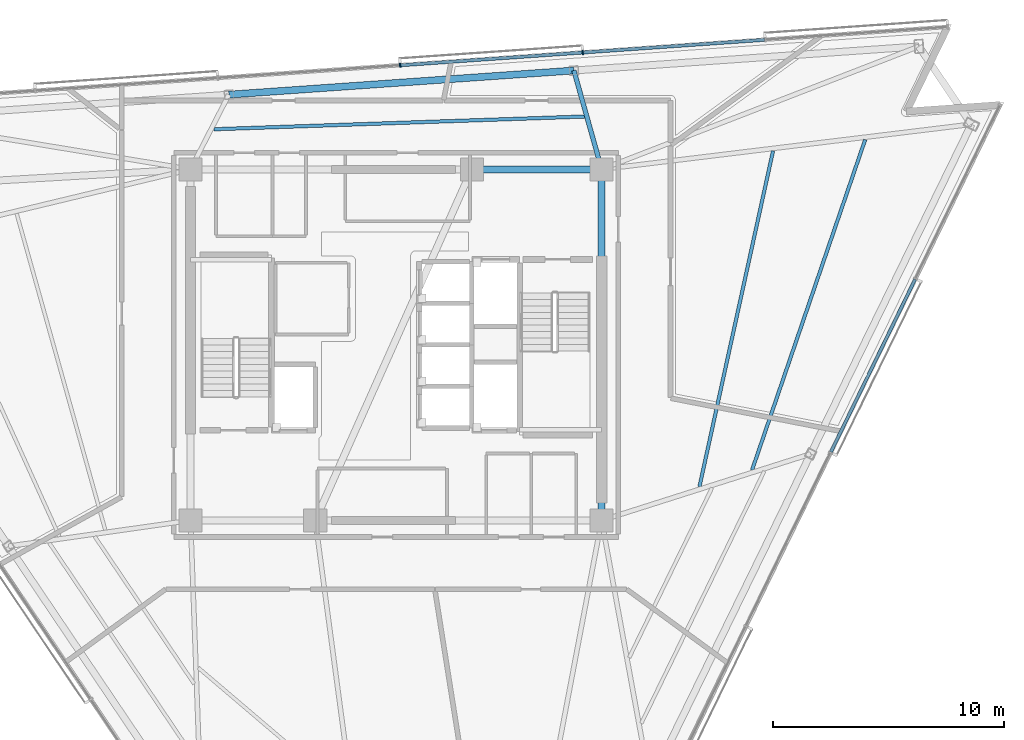
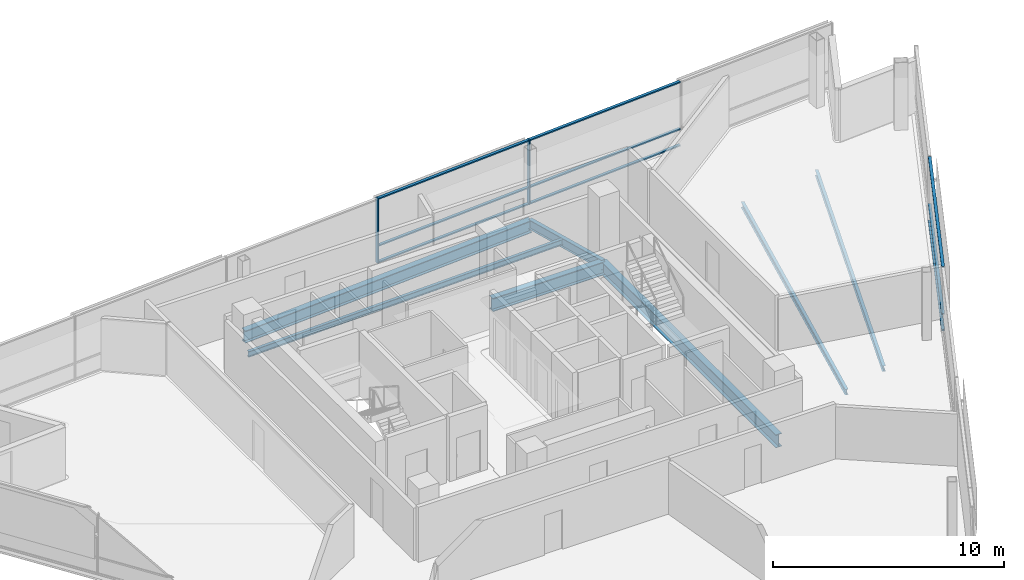
# One storey, part 6 of 15: 11 members, 7 beams, 2 elements without a shape of their own.
"""IFC4 building model written with IfcOpenShell, lengths in metres."""

import ifcopenshell
import ifcopenshell.guid

model = None  # the IFC model being written
_history = None  # IfcOwnerHistory: only IFC2X3 demands one
_inside = {}  # id of a spatial element -> (the spatial element, [elements in it])
_under = {}  # id of a project, library or spatial element -> (it, [spatial elements below it])
_declared = {}  # id of a project -> (the project, [libraries it declares])
_typed = {}  # id of a type object -> (the type object, [elements of that type])
_made_of = {}  # id of a material, layer set ... -> (it, [elements and type objects made of it])


def new_model(schema):
    """Start an empty IFC model of exactly this schema.

    Asked for "IFC4X3", IfcOpenShell would pick the latest addendum, in which some entities
    have other attributes; the version numbers below select the first issue.
    IFC2X3 requires an IfcOwnerHistory on every rooted entity: one is made here for all.
    """
    global model, _history
    if schema == "IFC4X3":
        model = ifcopenshell.file(schema_version=(4, 3, 0, 0))
    else:
        model = ifcopenshell.file(schema=schema)
    _inside.clear()
    _under.clear()
    _declared.clear()
    _typed.clear()
    _made_of.clear()
    _history = None
    if model.schema == "IFC2X3":
        org = make("IfcOrganization", Name="unknown")
        user = make(
            "IfcPersonAndOrganization",
            ThePerson=make("IfcPerson", FamilyName="unknown"),
            TheOrganization=org,
        )
        app = make(
            "IfcApplication",
            ApplicationDeveloper=org,
            Version="unknown",
            ApplicationFullName="unknown",
            ApplicationIdentifier="unknown",
        )
        _history = make(
            "IfcOwnerHistory",
            OwningUser=user,
            OwningApplication=app,
            ChangeAction="ADDED",
            CreationDate=0,
        )
    return model


def make(cls, **values):
    """One entity of the class cls with the attributes given. An attribute that is None is left unset."""
    return model.create_entity(
        cls, **{name: value for name, value in values.items() if value is not None}
    )


def rooted(cls, **values):
    """An entity with a GlobalId (a new one), such as an element, a storey or a relation."""
    return make(cls, GlobalId=ifcopenshell.guid.new(), OwnerHistory=_history, **values)


def si_unit(unit_type, name, prefix=None):
    """IfcSIUnit, for example si_unit("LENGTHUNIT", "METRE", prefix="MILLI")."""
    return make("IfcSIUnit", UnitType=unit_type, Prefix=prefix, Name=name)


def assignment(units):
    """IfcUnitAssignment: the units of a project."""
    return None if units is None else make("IfcUnitAssignment", Units=units)


def point(xyz):
    """IfcCartesianPoint."""
    return None if xyz is None else make("IfcCartesianPoint", Coordinates=xyz)


def direction(xyz):
    """IfcDirection."""
    return None if xyz is None else make("IfcDirection", DirectionRatios=xyz)


def frame(location, z_axis=None, x_axis=None):
    """IfcAxis2Placement3D, a coordinate frame: its origin and axes. An axis left out is left unset."""
    return make(
        "IfcAxis2Placement3D",
        Location=point(location),
        Axis=direction(z_axis),
        RefDirection=direction(x_axis),
    )


def frame_2d(location, x_axis=None):
    """IfcAxis2Placement2D, a coordinate frame in the plane: its origin and x axis."""
    return make(
        "IfcAxis2Placement2D", Location=point(location), RefDirection=direction(x_axis)
    )


def origin():
    """The frame at (0, 0, 0) with its axes left unset."""
    return frame((0.0, 0.0, 0.0))


def origin_2d():
    """The frame at (0, 0) in the plane with its x axis left unset."""
    return frame_2d((0.0, 0.0))


def place(relative_to, where):
    """IfcLocalPlacement: puts the frame where relative to a parent placement (None: the world)."""
    return make(
        "IfcLocalPlacement", PlacementRelTo=relative_to, RelativePlacement=where
    )


def context(
    kind, dimensions, precision=None, world=None, true_north=None, identifier=None
):
    """IfcGeometricRepresentationContext, for example the 3D "Model" context."""
    return make(
        "IfcGeometricRepresentationContext",
        ContextIdentifier=identifier,
        ContextType=kind,
        CoordinateSpaceDimension=dimensions,
        Precision=precision,
        WorldCoordinateSystem=world,
        TrueNorth=true_north,
    )


def subcontext(parent, identifier, kind, view, scale=None):
    """IfcGeometricRepresentationSubContext, for example "Body" below "Model"."""
    return make(
        "IfcGeometricRepresentationSubContext",
        ContextIdentifier=identifier,
        ContextType=kind,
        ParentContext=parent,
        TargetScale=scale,
        TargetView=view,
    )


def project(units=None, contexts=None):
    """IfcProject with its units and contexts."""
    return rooted(
        "IfcProject",
        Name="project",
        RepresentationContexts=contexts,
        UnitsInContext=assignment(units),
    )


def spatial(cls, under=None, at=None, **own):
    """A site, building, storey or space (cls), placed at a placement, below another one or the project."""
    s = rooted(cls, ObjectPlacement=at, **own)
    if under is not None:
        _under.setdefault(under.id(), (under, []))[1].append(s)
    return s


def profile(cls, at=None, kind="AREA", **sizes):
    """A parametric profile (cls). Its sizes go by their IFC names, for example OverallWidth=200.0."""
    return make(cls, ProfileType=kind, Position=at, **sizes)


def rectangle(**sizes):
    """IfcRectangleProfileDef."""
    return profile("IfcRectangleProfileDef", **sizes)


def i_section(**sizes):
    """IfcIShapeProfileDef."""
    return profile("IfcIShapeProfileDef", **sizes)


def extrude(swept, where, along, depth):
    """IfcExtrudedAreaSolid: the profile swept, set in the frame where, extruded along a direction by depth."""
    return make(
        "IfcExtrudedAreaSolid",
        SweptArea=swept,
        Position=where,
        ExtrudedDirection=direction(along),
        Depth=depth,
    )


def shape(context_of_items, identifier, shape_type, items):
    """IfcShapeRepresentation: the items that make up one representation, for example the "Body"."""
    return make(
        "IfcShapeRepresentation",
        ContextOfItems=context_of_items,
        RepresentationIdentifier=identifier,
        RepresentationType=shape_type,
        Items=items,
    )


def material(Name=None, Category=None):
    """IfcMaterial."""
    return make("IfcMaterial", Name=Name, Category=Category)


def layer(
    of_material, thickness, ventilated=None, Name=None, Category=None, Priority=None
):
    """IfcMaterialLayer: one layer of a wall or slab, of a material (None: an air gap)."""
    return make(
        "IfcMaterialLayer",
        Material=of_material,
        LayerThickness=thickness,
        IsVentilated=ventilated,
        Name=Name,
        Category=Category,
        Priority=Priority,
    )


def layer_set(layers, Name=None):
    """IfcMaterialLayerSet."""
    return make("IfcMaterialLayerSet", MaterialLayers=layers, LayerSetName=Name)


def material_profile(
    of_material, cross_section, Name=None, Category=None, Priority=None
):
    """IfcMaterialProfile: a cross section and its material."""
    return make(
        "IfcMaterialProfile",
        Name=Name,
        Material=of_material,
        Profile=cross_section,
        Priority=Priority,
        Category=Category,
    )


def profile_set(profiles, Name=None, composite=None):
    """IfcMaterialProfileSet."""
    return make(
        "IfcMaterialProfileSet",
        Name=Name,
        MaterialProfiles=profiles,
        CompositeProfile=composite,
    )


def made_of(thing, what):
    """Note that an element or type object is made of a material, layer set ...; save() writes the relation."""
    if what is not None:
        _made_of.setdefault(what.id(), (what, []))[1].append(thing)
    return thing


def type_object(cls, material=None, **own):
    """A type object (cls), such as IfcWallType, which elements share."""
    return made_of(rooted(cls, **own), material)


def element(
    cls,
    number,
    at=None,
    inside=None,
    cuts=None,
    type_object=None,
    material=None,
    context=None,
    identifier="Body",
    shape_type=None,
    held_by="IfcProductDefinitionShape",
    body=None,
    shapes=None,
    **own,
):
    """One element of the class cls, such as IfcWall. Its Tag is "e" and its number.

    at: its placement. inside: the storey or other place that contains it. cuts: it is an
    opening in that element (IfcRelVoidsElement). A single representation is given by context,
    identifier, shape_type and body (its items); several are given by shapes. held_by: the class
    of the entity that holds the representations. save() writes the other relations.
    """
    e = rooted(cls, Tag="e%d" % number, ObjectPlacement=at, **own)
    if body is not None:
        shapes = [shape(context, identifier, shape_type, body)]
    if shapes is not None:
        e.Representation = make(held_by, Representations=shapes)
    if inside is not None:
        _inside.setdefault(inside.id(), (inside, []))[1].append(e)
    if cuts is not None:
        rooted(
            "IfcRelVoidsElement", RelatingBuildingElement=cuts, RelatedOpeningElement=e
        )
    if type_object is not None:
        _typed.setdefault(type_object.id(), (type_object, []))[1].append(e)
    return made_of(e, material)


def aggregate(whole, parts):
    """IfcRelAggregates: a whole, such as a stair, and the parts it consists of."""
    return rooted("IfcRelAggregates", RelatingObject=whole, RelatedObjects=parts)


def save(model, path):
    """Write the relations noted so far, then the file.

    IfcRelAggregates (storeys below a building ...), IfcRelContainedInSpatialStructure (elements
    in a storey), IfcRelDefinesByType, IfcRelAssociatesMaterial and IfcRelDeclares: one each for
    every whole, place, type object, material and project.
    """
    for whole, parts in _under.values():
        aggregate(whole, parts)
    for where, things in _inside.values():
        rooted(
            "IfcRelContainedInSpatialStructure",
            RelatedElements=things,
            RelatingStructure=where,
        )
    for kind, things in _typed.values():
        rooted("IfcRelDefinesByType", RelatedObjects=things, RelatingType=kind)
    for what, things in _made_of.values():
        rooted("IfcRelAssociatesMaterial", RelatedObjects=things, RelatingMaterial=what)
    for by, libraries in _declared.values():
        rooted("IfcRelDeclares", RelatingContext=by, RelatedDefinitions=libraries)
    model.write(path)


model = new_model("IFC4")

# Units and contexts
model_context = context("Model", 3, precision=1e-05, world=origin(), true_north=direction((0.0, 1.0)))
body_context = subcontext(model_context, "Body", "Model", "MODEL_VIEW")
ifc_project = project(units=[si_unit("LENGTHUNIT", "METRE"), si_unit("AREAUNIT", "SQUARE_METRE"), si_unit("VOLUMEUNIT", "CUBIC_METRE"), si_unit("PLANEANGLEUNIT", "RADIAN"), si_unit("MASSUNIT", "GRAM", prefix="KILO")], contexts=[model_context])

# Site, building, storey
site_placement = place(None, origin())
site = spatial("IfcSite", under=ifc_project, at=site_placement, CompositionType="ELEMENT")
building_placement = place(site_placement, origin())
building = spatial("IfcBuilding", under=site, at=building_placement, Name="Tharavind Bronze Gate", CompositionType="ELEMENT")
storey_placement = place(building_placement, frame((0.0, 0.0, 267.800048828125)))
storey = spatial("IfcBuildingStorey", under=building, at=storey_placement, Name="L69", CompositionType="ELEMENT", Elevation=267.800048828125)

# Curtain wall, members
ifc_material_1 = material(Name="Anodised Bronze Aluminium", Category="aluminium")
ifc_layer = layer(ifc_material_1, 0.219970703125)
ifc_layer_set = layer_set([ifc_layer], Name="Anodised Bronze Aluminium")
curtain_wall_type = type_object("IfcCurtainWallType", Name="UNITISED CURTAIN WALL UPPER OFFICE", PredefinedType="USERDEFINED", material=ifc_layer_set)
curtain_wall_1_placement = place(storey_placement, origin())
curtain_wall_1 = element("IfcCurtainWall", 1, at=curtain_wall_1_placement, inside=storey, type_object=curtain_wall_type, Name="L69 unitised curtain wall upper office CW-L69-S3", ObjectType="UNITISED CURTAIN WALL", PredefinedType="USERDEFINED")
member_type_1 = type_object("IfcMemberType", Name="CURTAIN WALL BRONZE MULLION 65X180", PredefinedType="MULLION", material=ifc_material_1)
member_1_placement = place(storey_placement, frame((8.078369140625, 12.656005859375, 0.0), z_axis=(0.0, 0.0, 1.0), x_axis=(-0.997563806758, -0.069759955899, 0.0)))
member_1 = element("IfcMember", 2, at=member_1_placement, type_object=member_type_1, Name="CW-L69-S3 mullion 3", PredefinedType="MULLION", context=body_context, shape_type="SweptSolid", body=[
    extrude(rectangle(XDim=0.06494140625, YDim=0.179931640625, at=origin_2d()), origin(), (0.0, 0.0, 1.0), 3.419921875),
])
member_2_placement = place(storey_placement, frame((0.177490234375, 12.103515625, 0.0), z_axis=(0.0, 0.0, 1.0), x_axis=(-0.997563806758, -0.069759955899, 0.0)))
member_2 = element("IfcMember", 3, at=member_2_placement, type_object=member_type_1, Name="CW-L69-S3 mullion 4", PredefinedType="MULLION", context=body_context, shape_type="SweptSolid", body=[
    extrude(rectangle(XDim=0.06494140625, YDim=0.179931640625, at=origin_2d()), origin(), (0.0, 0.0, 1.0), 3.419921875),
])

curtain_wall_2_placement = place(storey_placement, origin())
curtain_wall_2 = element("IfcCurtainWall", 4, at=curtain_wall_2_placement, inside=storey, type_object=curtain_wall_type, Name="L69 unitised curtain wall upper office CW-L69-S2", ObjectType="UNITISED CURTAIN WALL", PredefinedType="USERDEFINED")
member_type_2 = type_object("IfcMemberType", Name="CURTAIN WALL BRONZE TRANSOM 65X140", PredefinedType="USERDEFINED", material=ifc_material_1)
member_3_placement = place(storey_placement, frame((20.64990234375, -0.89892578125, 0.0), z_axis=(0.0, 0.0, 1.0), x_axis=(0.43837271548, 0.898793281196, 0.0)))
member_3 = element("IfcMember", 5, at=member_3_placement, type_object=member_type_2, Name="CW-L69-S2 transom TB5", ObjectType="TRANSOM", PredefinedType="USERDEFINED", context=body_context, shape_type="SweptSolid", body=[
    extrude(rectangle(XDim=8.3193359375, YDim=0.139892578125, at=origin_2d()), origin(), (0.0, 0.0, 1.0), 0.06494140625),
])
member_4_placement = place(storey_placement, frame((20.64990234375, -0.89892578125, 0.867431640625), z_axis=(0.0, 0.0, 1.0), x_axis=(0.43837271548, 0.898793281196, 0.0)))
member_4 = element("IfcMember", 6, at=member_4_placement, type_object=member_type_2, Name="CW-L69-S2 transom TS5", ObjectType="TRANSOM", PredefinedType="USERDEFINED", context=body_context, shape_type="SweptSolid", body=[
    extrude(rectangle(XDim=8.3193359375, YDim=0.139892578125, at=origin_2d()), origin(), (0.0, 0.0, 1.0), 0.06494140625),
])
member_5_placement = place(storey_placement, frame((20.64990234375, -0.89892578125, 3.35498046875), z_axis=(0.0, 0.0, 1.0), x_axis=(0.43837271548, 0.898793281196, 0.0)))
member_5 = element("IfcMember", 7, at=member_5_placement, type_object=member_type_2, Name="CW-L69-S2 transom TT5", ObjectType="TRANSOM", PredefinedType="USERDEFINED", context=body_context, shape_type="SweptSolid", body=[
    extrude(rectangle(XDim=8.3193359375, YDim=0.139892578125, at=origin_2d()), origin(), (0.0, 0.0, 1.0), 0.06494140625),
])
aggregate(curtain_wall_2, [member_3, member_4, member_5])

# Member
member_6_placement = place(storey_placement, frame((12.02880859375, 12.932373046875, 0.0), z_axis=(0.0, 0.0, 1.0), x_axis=(-0.997563806758, -0.069759955899, 0.0)))
member_6 = element("IfcMember", 8, at=member_6_placement, type_object=member_type_2, Name="CW-L69-S3 transom TB2", ObjectType="TRANSOM", PredefinedType="USERDEFINED", context=body_context, shape_type="SweptSolid", body=[
    extrude(rectangle(XDim=7.8671875, YDim=0.139892578125, at=origin_2d()), origin(), (0.0, 0.0, 1.0), 0.06494140625),
])

member_7_placement = place(storey_placement, frame((12.02880859375, 12.932373046875, 0.867431640625), z_axis=(0.0, 0.0, 1.0), x_axis=(-0.997563806758, -0.069759955899, 0.0)))
member_7 = element("IfcMember", 9, at=member_7_placement, type_object=member_type_2, Name="CW-L69-S3 transom TS2", ObjectType="TRANSOM", PredefinedType="USERDEFINED", context=body_context, shape_type="SweptSolid", body=[
    extrude(rectangle(XDim=7.8671875, YDim=0.139892578125, at=origin_2d()), origin(), (0.0, 0.0, 1.0), 0.06494140625),
])

member_8_placement = place(storey_placement, frame((12.02880859375, 12.932373046875, 3.35498046875), z_axis=(0.0, 0.0, 1.0), x_axis=(-0.997563806758, -0.069759955899, 0.0)))
member_8 = element("IfcMember", 10, at=member_8_placement, type_object=member_type_2, Name="CW-L69-S3 transom TT2", ObjectType="TRANSOM", PredefinedType="USERDEFINED", context=body_context, shape_type="SweptSolid", body=[
    extrude(rectangle(XDim=7.8671875, YDim=0.139892578125, at=origin_2d()), origin(), (0.0, 0.0, 1.0), 0.06494140625),
])

member_9_placement = place(storey_placement, frame((4.1279296875, 12.3798828125, 0.0), z_axis=(0.0, 0.0, 1.0), x_axis=(-0.997563806758, -0.069759955899, 0.0)))
member_9 = element("IfcMember", 11, at=member_9_placement, type_object=member_type_2, Name="CW-L69-S3 transom TB3", ObjectType="TRANSOM", PredefinedType="USERDEFINED", context=body_context, shape_type="SweptSolid", body=[
    extrude(rectangle(XDim=7.8671875, YDim=0.139892578125, at=origin_2d()), origin(), (0.0, 0.0, 1.0), 0.06494140625),
])

member_10_placement = place(storey_placement, frame((4.1279296875, 12.3798828125, 0.867431640625), z_axis=(0.0, 0.0, 1.0), x_axis=(-0.997563806758, -0.069759955899, 0.0)))
member_10 = element("IfcMember", 12, at=member_10_placement, type_object=member_type_2, Name="CW-L69-S3 transom TS3", ObjectType="TRANSOM", PredefinedType="USERDEFINED", context=body_context, shape_type="SweptSolid", body=[
    extrude(rectangle(XDim=7.8671875, YDim=0.139892578125, at=origin_2d()), origin(), (0.0, 0.0, 1.0), 0.06494140625),
])

member_11_placement = place(storey_placement, frame((4.1279296875, 12.3798828125, 3.35498046875), z_axis=(0.0, 0.0, 1.0), x_axis=(-0.997563806758, -0.069759955899, 0.0)))
member_11 = element("IfcMember", 13, at=member_11_placement, type_object=member_type_2, Name="CW-L69-S3 transom TT3", ObjectType="TRANSOM", PredefinedType="USERDEFINED", context=body_context, shape_type="SweptSolid", body=[
    extrude(rectangle(XDim=7.8671875, YDim=0.139892578125, at=origin_2d()), origin(), (0.0, 0.0, 1.0), 0.06494140625),
])

aggregate(curtain_wall_1, [member_1, member_2, member_6, member_7, member_8, member_9, member_10, member_11])

# Beams
ifc_material_2 = material(Name="Steel S355", Category="steel")
ifc_material_profile_1 = material_profile(ifc_material_2, i_section(OverallWidth=0.300048828125, OverallDepth=0.64990234375, WebThickness=0.01611328125, FlangeThickness=0.031005859375, at=origin_2d()), Name="HE650B")
ifc_profile_set_1 = profile_set([ifc_material_profile_1], Name="Steel S355")
beam_type_1 = type_object("IfcBeamType", Name="PRIMARY GIRDER HE650B", PredefinedType="USERDEFINED", material=ifc_profile_set_1)
beam_1_placement = place(storey_placement, frame((7.69873046875, 11.877685546875, -0.505126953125), z_axis=(-0.997563609873, -0.069762771286, 0.0), x_axis=(0.069762771286, -0.997563609873, 0.0)))
element("IfcBeam", 14, at=beam_1_placement, inside=storey, type_object=beam_type_1, Name="L69 primary girder he650b BM-L69-PRG10", ObjectType="GIRDER", PredefinedType="USERDEFINED", context=body_context, shape_type="SweptSolid", body=[
    extrude(i_section(OverallWidth=0.300048828125, OverallDepth=0.64990234375, WebThickness=0.01611328125, FlangeThickness=0.031005859375, at=origin_2d()), origin(), (0.0, 0.0, 1.0), 14.974609375),
])
ifc_material_profile_2 = material_profile(ifc_material_2, i_section(OverallWidth=0.199951171875, OverallDepth=0.5, WebThickness=0.01025390625, FlangeThickness=0.01611328125, at=origin_2d()), Name="IPE500")
ifc_profile_set_2 = profile_set([ifc_material_profile_2], Name="Steel S355")
beam_type_2 = type_object("IfcBeamType", Name="PRIMARY GIRDER IPE500", PredefinedType="USERDEFINED", material=ifc_profile_set_2)
beam_2_placement = place(storey_placement, frame((7.69873046875, 11.877685546875, -0.429931640625), z_axis=(0.270349324095, -0.962762298265, 0.0), x_axis=(0.962762298265, 0.270349324095, 0.0)))
element("IfcBeam", 15, at=beam_2_placement, inside=storey, type_object=beam_type_2, Name="L69 primary girder ipe500 BM-L69-RAD10", ObjectType="GIRDER", PredefinedType="USERDEFINED", context=body_context, shape_type="SweptSolid", body=[
    extrude(i_section(OverallWidth=0.199951171875, OverallDepth=0.5, WebThickness=0.01025390625, FlangeThickness=0.01611328125, at=origin_2d()), origin(), (0.0, 0.0, 1.0), 4.443115234375),
])
ifc_material_profile_3 = material_profile(ifc_material_2, i_section(OverallWidth=0.300048828125, OverallDepth=0.699951171875, WebThickness=0.01708984375, FlangeThickness=0.031982421875, at=origin_2d()), Name="HE700B")
ifc_profile_set_3 = profile_set([ifc_material_profile_3], Name="Steel S355")
beam_type_3 = type_object("IfcBeamType", Name="RING GIRDER HE700B", PredefinedType="USERDEFINED", material=ifc_profile_set_3)
beam_3_placement = place(storey_placement, frame((8.89990234375, -7.60009765625, -0.530029296875), z_axis=(0.0, 1.0, 0.0), x_axis=(-1.0, 0.0, 0.0)))
element("IfcBeam", 16, at=beam_3_placement, inside=storey, type_object=beam_type_3, Name="L69 ring girder he700b BM-L69-CR3", ObjectType="GIRDER", PredefinedType="USERDEFINED", context=body_context, shape_type="SweptSolid", body=[
    extrude(i_section(OverallWidth=0.300048828125, OverallDepth=0.699951171875, WebThickness=0.01708984375, FlangeThickness=0.031982421875, at=origin_2d()), origin(), (0.0, 0.0, 1.0), 15.2001953125),
])
beam_4_placement = place(storey_placement, frame((8.89990234375, 7.60009765625, -0.530029296875), z_axis=(-1.0, 0.0, 0.0), x_axis=(0.0, -1.0, 0.0)))
element("IfcBeam", 17, at=beam_4_placement, inside=storey, type_object=beam_type_3, Name="L69 ring girder he700b BM-L69-CR4", ObjectType="GIRDER", PredefinedType="USERDEFINED", context=body_context, shape_type="SweptSolid", body=[
    extrude(i_section(OverallWidth=0.300048828125, OverallDepth=0.699951171875, WebThickness=0.01708984375, FlangeThickness=0.031982421875, at=origin_2d()), origin(), (0.0, 0.0, 1.0), 5.619873046875),
])
ifc_material_profile_4 = material_profile(ifc_material_2, i_section(OverallWidth=0.14990234375, OverallDepth=0.300048828125, WebThickness=0.007080078125, FlangeThickness=0.0107421875, at=origin_2d()), Name="IPE300")
ifc_profile_set_4 = profile_set([ifc_material_profile_4], Name="Steel S355")
beam_type_4 = type_object("IfcBeamType", Name="SECONDARY FLOOR JOIST IPE300", PredefinedType="JOIST", material=ifc_profile_set_4)
beam_5_placement = place(storey_placement, frame((13.13427734375, -6.14501953125, -0.330078125), z_axis=(0.21409442117, 0.976812970237, 0.0), x_axis=(-0.976812970237, 0.21409442117, 0.0)))
element("IfcBeam", 18, at=beam_5_placement, inside=storey, type_object=beam_type_4, Name="L69 secondary floor joist ipe300 BM-L69-JSTA07", PredefinedType="JOIST", context=body_context, shape_type="SweptSolid", body=[
    extrude(i_section(OverallWidth=0.14990234375, OverallDepth=0.300048828125, WebThickness=0.007080078125, FlangeThickness=0.0107421875, at=origin_2d()), origin(), (0.0, 0.0, 1.0), 14.889404296875),
])
beam_6_placement = place(storey_placement, frame((15.4130859375, -5.420654296875, -0.330078125), z_axis=(0.323918937062, 0.946084838803, 0.0), x_axis=(-0.946084838803, 0.323918937062, 0.0)))
element("IfcBeam", 19, at=beam_6_placement, inside=storey, type_object=beam_type_4, Name="L69 secondary floor joist ipe300 BM-L69-JSTB07", PredefinedType="JOIST", context=body_context, shape_type="SweptSolid", body=[
    extrude(i_section(OverallWidth=0.14990234375, OverallDepth=0.300048828125, WebThickness=0.007080078125, FlangeThickness=0.0107421875, at=origin_2d()), origin(), (0.0, 0.0, 1.0), 15.120849609375),
])
beam_7_placement = place(storey_placement, frame((8.150390625, 9.885009765625, -0.330078125), z_axis=(-0.999410182426, -0.034340752228, 0.0), x_axis=(0.034340752228, -0.999410182426, 0.0)))
element("IfcBeam", 20, at=beam_7_placement, inside=storey, type_object=beam_type_4, Name="L69 secondary floor joist ipe300 BM-L69-JSTA10", PredefinedType="JOIST", context=body_context, shape_type="SweptSolid", body=[
    extrude(i_section(OverallWidth=0.14990234375, OverallDepth=0.300048828125, WebThickness=0.007080078125, FlangeThickness=0.0107421875, at=origin_2d()), origin(), (0.0, 0.0, 1.0), 16.052978515625),
])

save(model, "model.ifc")
